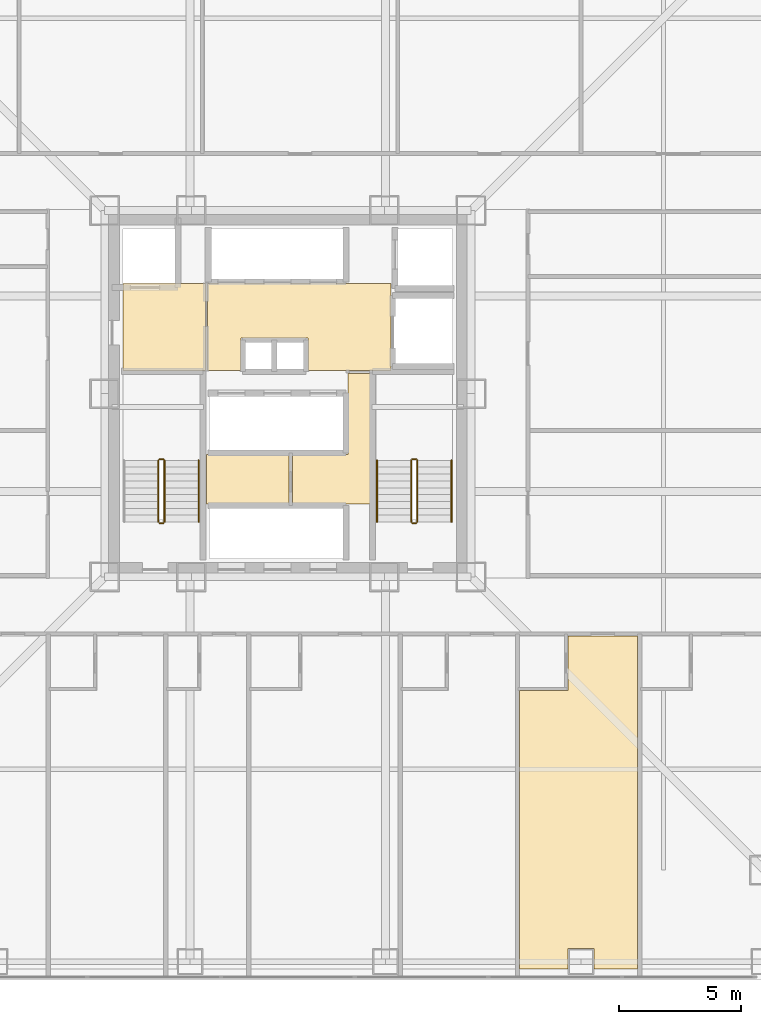
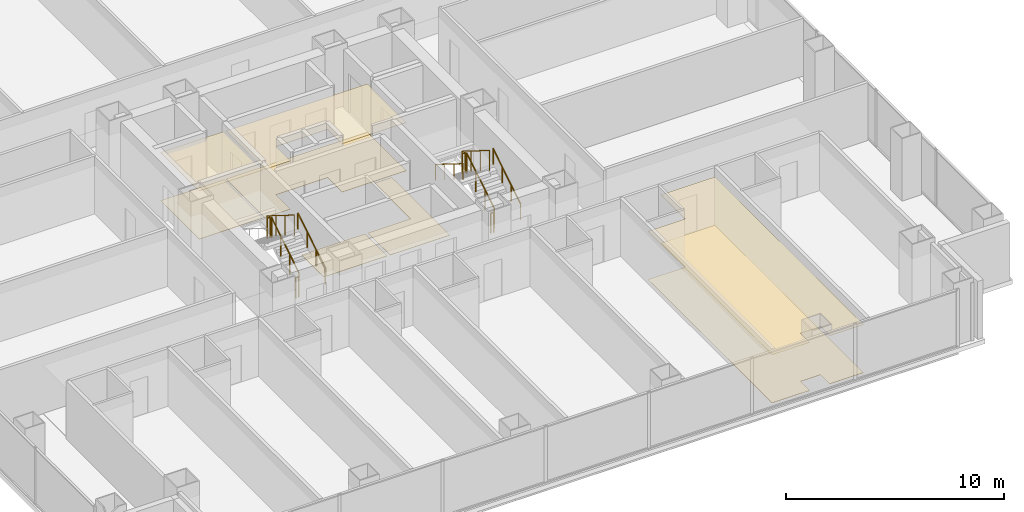
# One storey, part 19 of 20: 11 railings, 8 coverings.
"""IFC4 building model written with IfcOpenShell, lengths in metres."""

from ifc_helpers import new_model, si_unit, direction, frame, origin, origin_2d, place, context, subcontext, project, spatial, polyline, circle, outline, extrude, material, layer, layer_set, type_object, element, save


model = new_model("IFC4")

# Units and contexts
model_context = context("Model", 3, precision=1e-05, world=origin(), true_north=direction((0.0, 1.0)))
body_context = subcontext(model_context, "Body", "Model", "MODEL_VIEW")
ifc_project = project(units=[si_unit("LENGTHUNIT", "METRE"), si_unit("AREAUNIT", "SQUARE_METRE"), si_unit("VOLUMEUNIT", "CUBIC_METRE"), si_unit("PLANEANGLEUNIT", "RADIAN"), si_unit("MASSUNIT", "GRAM", prefix="KILO")], contexts=[model_context])

# Site, building, storey
site_placement = place(None, origin())
site = spatial("IfcSite", under=ifc_project, at=site_placement, CompositionType="ELEMENT")
building_placement = place(site_placement, origin())
building = spatial("IfcBuilding", under=site, at=building_placement, Name="Trevonay Congress Spire", CompositionType="ELEMENT")
storey_placement = place(building_placement, frame((0.0, 0.0, 62.0)))
storey = spatial("IfcBuildingStorey", under=building, at=storey_placement, Name="L15", CompositionType="ELEMENT", Elevation=62.0)

# Coverings
ifc_material_1 = material(Name="Acoustic Mineral Fibre Board", Category="gypsum")
ifc_layer_1 = layer(ifc_material_1, 0.02490234375, Name="Acoustic Mineral Fibre Board")
ifc_layer_set_1 = layer_set([ifc_layer_1], Name="Acoustic Mineral Fibre Board")
covering_type_1 = type_object("IfcCoveringType", Name="COV-CEIL-ACOUSTIC", PredefinedType="CEILING", material=ifc_layer_set_1)
covering_1_placement = place(storey_placement, frame((0.0, 0.0, 2.699951171875)))
element("IfcCovering", 1, at=covering_1_placement, inside=storey, type_object=covering_type_1, Name="L15 Firefighting Lift Lobby West acoustic suspended ceiling", PredefinedType="CEILING", context=body_context, shape_type="SweptSolid", body=[
    extrude(outline(polyline([(-6.75, 0.9599609375), (-3.3798828125, 0.9599609375), (-3.3798828125, 4.52001953125), (-6.75, 4.52001953125), (-6.75, 0.9599609375)])), origin(), (0.0, 0.0, 1.0), 0.025146484375),
])
covering_2_placement = place(storey_placement, frame((0.0, 0.0, 2.699951171875)))
element("IfcCovering", 2, at=covering_2_placement, inside=storey, type_object=covering_type_1, Name="L15 Central and High-Rise Passenger Lift Lobby acoustic suspended ceiling", PredefinedType="CEILING", context=body_context, shape_type="SweptSolid", body=[
    extrude(outline(polyline([(-3.280029296875, 0.949951171875), (-1.919921875, 0.949951171875), (-1.919921875, 2.280029296875), (0.820068359375, 2.280029296875), (0.820068359375, 0.949951171875), (4.219970703125, 0.949951171875), (4.219970703125, 4.52001953125), (-3.280029296875, 4.52001953125), (-3.280029296875, 0.949951171875)])), origin(), (0.0, 0.0, 1.0), 0.025146484375),
])
covering_3_placement = place(storey_placement, frame((0.0, 0.0, 2.699951171875)))
element("IfcCovering", 3, at=covering_3_placement, inside=storey, type_object=covering_type_1, Name="L15 Corner Hotel Suite acoustic suspended ceiling", PredefinedType="CEILING", context=body_context, shape_type="SweptSolid", body=[
    extrude(outline(polyline([(9.47998046875, -23.550048828125), (9.47998046875, -12.139892578125), (11.458984375, -12.139892578125), (11.458984375, -9.909912109375), (14.320068359375, -9.909912109375), (14.320068359375, -23.550048828125), (12.534912109375, -23.550048828125), (12.534912109375, -22.715087890625), (11.465087890625, -22.715087890625), (11.465087890625, -23.550048828125), (9.47998046875, -23.550048828125)])), origin(), (0.0, 0.0, 1.0), 0.025146484375),
])
ifc_material_2 = material(Name="Polished Granite Floor Tile", Category="masonry")
ifc_layer_2 = layer(ifc_material_2, 0.02001953125, Name="Polished Granite Floor Tile")
ifc_layer_set_2 = layer_set([ifc_layer_2], Name="Polished Granite Floor Tile")
covering_type_2 = type_object("IfcCoveringType", Name="COV-FLOOR-STONE", PredefinedType="FLOORING", material=ifc_layer_set_2)
covering_4_placement = place(storey_placement, origin())
element("IfcCovering", 4, at=covering_4_placement, inside=storey, type_object=covering_type_2, Name="L15 Firefighting Lift Lobby West floor finish", PredefinedType="FLOORING", context=body_context, shape_type="SweptSolid", body=[
    extrude(outline(polyline([(-6.75, 0.9599609375), (-3.3798828125, 0.9599609375), (-3.3798828125, 4.52001953125), (-6.75, 4.52001953125), (-6.75, 0.9599609375)])), origin(), (0.0, 0.0, 1.0), 0.02001953125),
])
covering_5_placement = place(storey_placement, origin())
element("IfcCovering", 5, at=covering_5_placement, inside=storey, type_object=covering_type_2, Name="L15 Central and High-Rise Passenger Lift Lobby floor finish", PredefinedType="FLOORING", context=body_context, shape_type="SweptSolid", body=[
    extrude(outline(polyline([(-3.280029296875, 0.949951171875), (-1.919921875, 0.949951171875), (-1.919921875, 2.280029296875), (0.820068359375, 2.280029296875), (0.820068359375, 0.949951171875), (4.219970703125, 0.949951171875), (4.219970703125, 4.52001953125), (-3.280029296875, 4.52001953125), (-3.280029296875, 0.949951171875)])), origin(), (0.0, 0.0, 1.0), 0.02001953125),
])
covering_6_placement = place(storey_placement, origin())
element("IfcCovering", 6, at=covering_6_placement, inside=storey, type_object=covering_type_2, Name="L15 Cleaner and Linen Closet floor finish", PredefinedType="FLOORING", context=body_context, shape_type="SweptSolid", body=[
    extrude(outline(polyline([(-3.320068359375, -4.52001953125), (0.050048828125, -4.52001953125), (0.050048828125, -2.47998046875), (-3.320068359375, -2.47998046875), (-3.320068359375, -4.52001953125)])), origin(), (0.0, 0.0, 1.0), 0.02001953125),
])
covering_7_placement = place(storey_placement, origin())
element("IfcCovering", 7, at=covering_7_placement, inside=storey, type_object=covering_type_2, Name="L15 BMS Control Room floor finish", PredefinedType="FLOORING", context=body_context, shape_type="SweptSolid", body=[
    extrude(outline(polyline([(0.199951171875, -4.52001953125), (3.3798828125, -4.52001953125), (3.3798828125, 0.820068359375), (2.4599609375, 0.820068359375), (2.4599609375, -2.47998046875), (0.199951171875, -2.47998046875), (0.199951171875, -4.52001953125)])), origin(), (0.0, 0.0, 1.0), 0.02001953125),
])
ifc_material_3 = material(Name="Engineered Oak Flooring", Category="wood")
ifc_layer_3 = layer(ifc_material_3, 0.01806640625, Name="Engineered Oak Flooring")
ifc_layer_set_3 = layer_set([ifc_layer_3], Name="Engineered Oak Flooring")
covering_type_3 = type_object("IfcCoveringType", Name="COV-FLOOR-TIMBER", PredefinedType="FLOORING", material=ifc_layer_set_3)
covering_8_placement = place(storey_placement, origin())
element("IfcCovering", 8, at=covering_8_placement, inside=storey, type_object=covering_type_3, Name="L15 Corner Hotel Suite floor finish", PredefinedType="FLOORING", context=body_context, shape_type="SweptSolid", body=[
    extrude(outline(polyline([(9.47998046875, -23.550048828125), (9.47998046875, -12.139892578125), (11.458984375, -12.139892578125), (11.458984375, -9.909912109375), (14.320068359375, -9.909912109375), (14.320068359375, -23.550048828125), (12.534912109375, -23.550048828125), (12.534912109375, -22.715087890625), (11.465087890625, -22.715087890625), (11.465087890625, -23.550048828125), (9.47998046875, -23.550048828125)])), origin(), (0.0, 0.0, 1.0), 0.01806640625),
])

# Railings
ifc_material_4 = material(Name="Pale Anodised Aluminium EN AW-6063-T6", Category="aluminium")
railing_type_1 = type_object("IfcRailingType", Name="RAL-STAIR-GUARD-110", PredefinedType="GUARDRAIL", material=ifc_material_4)
railing_1_placement = place(storey_placement, frame((-5.050048828125, -5.25, 0.175048828125)))
element("IfcRailing", 9, at=railing_1_placement, inside=storey, type_object=railing_type_1, Name="L15 ST-1 stair guard 1", PredefinedType="GUARDRAIL", context=body_context, shape_type="SweptSolid", body=[
    extrude(circle(Radius=0.02392578125, at=origin_2d()), frame((0.0, 0.0, 1.1259765625), z_axis=(0.0, 0.848007534815, 0.529984170421), x_axis=(-1.0, 0.0, 0.0)), (0.0, 0.0, 1.0), 2.9716796875),
    extrude(circle(Radius=0.02099609375, at=origin_2d()), origin(), (0.0, 0.0, 1.0), 1.101806640625),
    extrude(circle(Radius=0.02099609375, at=origin_2d()), frame((0.0, 0.840087890625, 0.52490234375)), (0.0, 0.0, 1.0), 1.101806640625),
    extrude(circle(Radius=0.02099609375, at=origin_2d()), frame((0.0, 1.679931640625, 1.050048828125)), (0.0, 0.0, 1.0), 1.101806640625),
    extrude(circle(Radius=0.02099609375, at=origin_2d()), frame((0.0, 2.52001953125, 1.574951171875)), (0.0, 0.0, 1.0), 1.101806640625),
])
railing_2_placement = place(storey_placement, frame((-5.10009765625, -2.679931640625, 1.75)))
element("IfcRailing", 10, at=railing_2_placement, inside=storey, type_object=railing_type_1, Name="L15 ST-1 stair guard 2", PredefinedType="GUARDRAIL", context=body_context, shape_type="SweptSolid", body=[
    extrude(circle(Radius=0.02392578125, at=origin_2d()), frame((0.0, 0.0, 1.1259765625), z_axis=(-1.0, 0.0, 0.0), x_axis=(0.0, -1.0, 0.0)), (0.0, 0.0, 1.0), 0.14990234375),
    extrude(circle(Radius=0.02099609375, at=origin_2d()), origin(), (0.0, 0.0, 1.0), 1.101806640625),
    extrude(circle(Radius=0.02099609375, at=origin_2d()), frame((-0.14990234375, 0.0, 0.0)), (0.0, 0.0, 1.0), 1.101806640625),
])
railing_3_placement = place(storey_placement, frame((-5.300048828125, -2.72998046875, 1.925048828125)))
element("IfcRailing", 11, at=railing_3_placement, inside=storey, type_object=railing_type_1, Name="L15 ST-1 stair guard 3", PredefinedType="GUARDRAIL", context=body_context, shape_type="SweptSolid", body=[
    extrude(circle(Radius=0.02392578125, at=origin_2d()), frame((0.0, 0.0, 1.1259765625), z_axis=(0.0, -0.848007534815, 0.529984170421), x_axis=(1.0, 0.0, 0.0)), (0.0, 0.0, 1.0), 2.9716796875),
    extrude(circle(Radius=0.02099609375, at=origin_2d()), origin(), (0.0, 0.0, 1.0), 1.101806640625),
    extrude(circle(Radius=0.02099609375, at=origin_2d()), frame((0.0, -0.840087890625, 0.52490234375)), (0.0, 0.0, 1.0), 1.101806640625),
    extrude(circle(Radius=0.02099609375, at=origin_2d()), frame((0.0, -1.679931640625, 1.050048828125)), (0.0, 0.0, 1.0), 1.101806640625),
    extrude(circle(Radius=0.02099609375, at=origin_2d()), frame((0.0, -2.52001953125, 1.574951171875)), (0.0, 0.0, 1.0), 1.101806640625),
])
railing_4_placement = place(storey_placement, frame((-5.10009765625, -5.300048828125, 0.0)))
element("IfcRailing", 12, at=railing_4_placement, inside=storey, type_object=railing_type_1, Name="L15 ST-1 stair guard 4", PredefinedType="GUARDRAIL", context=body_context, shape_type="SweptSolid", body=[
    extrude(circle(Radius=0.02392578125, at=origin_2d()), frame((0.0, 0.0, 1.1259765625), z_axis=(-1.0, 0.0, 0.0), x_axis=(0.0, -1.0, 0.0)), (0.0, 0.0, 1.0), 0.14990234375),
    extrude(circle(Radius=0.02099609375, at=origin_2d()), origin(), (0.0, 0.0, 1.0), 1.101806640625),
    extrude(circle(Radius=0.02099609375, at=origin_2d()), frame((-0.14990234375, 0.0, 0.0)), (0.0, 0.0, 1.0), 1.101806640625),
])
railing_5_placement = place(storey_placement, frame((5.300048828125, -5.25, 0.175048828125)))
element("IfcRailing", 13, at=railing_5_placement, inside=storey, type_object=railing_type_1, Name="L15 ST-2 stair guard 1", PredefinedType="GUARDRAIL", context=body_context, shape_type="SweptSolid", body=[
    extrude(circle(Radius=0.02392578125, at=origin_2d()), frame((0.0, 0.0, 1.1259765625), z_axis=(0.0, 0.848007534815, 0.529984170421), x_axis=(-1.0, 0.0, 0.0)), (0.0, 0.0, 1.0), 2.9716796875),
    extrude(circle(Radius=0.02099609375, at=origin_2d()), origin(), (0.0, 0.0, 1.0), 1.101806640625),
    extrude(circle(Radius=0.02099609375, at=origin_2d()), frame((0.0, 0.840087890625, 0.52490234375)), (0.0, 0.0, 1.0), 1.101806640625),
    extrude(circle(Radius=0.02099609375, at=origin_2d()), frame((0.0, 1.679931640625, 1.050048828125)), (0.0, 0.0, 1.0), 1.101806640625),
    extrude(circle(Radius=0.02099609375, at=origin_2d()), frame((0.0, 2.52001953125, 1.574951171875)), (0.0, 0.0, 1.0), 1.101806640625),
])
railing_6_placement = place(storey_placement, frame((5.25, -2.679931640625, 1.75)))
element("IfcRailing", 14, at=railing_6_placement, inside=storey, type_object=railing_type_1, Name="L15 ST-2 stair guard 2", PredefinedType="GUARDRAIL", context=body_context, shape_type="SweptSolid", body=[
    extrude(circle(Radius=0.02392578125, at=origin_2d()), frame((0.0, 0.0, 1.1259765625), z_axis=(-1.0, 0.0, 0.0), x_axis=(0.0, -1.0, 0.0)), (0.0, 0.0, 1.0), 0.14990234375),
    extrude(circle(Radius=0.02099609375, at=origin_2d()), origin(), (0.0, 0.0, 1.0), 1.101806640625),
    extrude(circle(Radius=0.02099609375, at=origin_2d()), frame((-0.14990234375, 0.0, 0.0)), (0.0, 0.0, 1.0), 1.101806640625),
])
railing_7_placement = place(storey_placement, frame((5.050048828125, -2.72998046875, 1.925048828125)))
element("IfcRailing", 15, at=railing_7_placement, inside=storey, type_object=railing_type_1, Name="L15 ST-2 stair guard 3", PredefinedType="GUARDRAIL", context=body_context, shape_type="SweptSolid", body=[
    extrude(circle(Radius=0.02392578125, at=origin_2d()), frame((0.0, 0.0, 1.1259765625), z_axis=(0.0, -0.848007534815, 0.529984170421), x_axis=(1.0, 0.0, 0.0)), (0.0, 0.0, 1.0), 2.9716796875),
    extrude(circle(Radius=0.02099609375, at=origin_2d()), origin(), (0.0, 0.0, 1.0), 1.101806640625),
    extrude(circle(Radius=0.02099609375, at=origin_2d()), frame((0.0, -0.840087890625, 0.52490234375)), (0.0, 0.0, 1.0), 1.101806640625),
    extrude(circle(Radius=0.02099609375, at=origin_2d()), frame((0.0, -1.679931640625, 1.050048828125)), (0.0, 0.0, 1.0), 1.101806640625),
    extrude(circle(Radius=0.02099609375, at=origin_2d()), frame((0.0, -2.52001953125, 1.574951171875)), (0.0, 0.0, 1.0), 1.101806640625),
])
railing_8_placement = place(storey_placement, frame((5.25, -5.300048828125, 0.0)))
element("IfcRailing", 16, at=railing_8_placement, inside=storey, type_object=railing_type_1, Name="L15 ST-2 stair guard 4", PredefinedType="GUARDRAIL", context=body_context, shape_type="SweptSolid", body=[
    extrude(circle(Radius=0.02392578125, at=origin_2d()), frame((0.0, 0.0, 1.1259765625), z_axis=(-1.0, 0.0, 0.0), x_axis=(0.0, -1.0, 0.0)), (0.0, 0.0, 1.0), 0.14990234375),
    extrude(circle(Radius=0.02099609375, at=origin_2d()), origin(), (0.0, 0.0, 1.0), 1.101806640625),
    extrude(circle(Radius=0.02099609375, at=origin_2d()), frame((-0.14990234375, 0.0, 0.0)), (0.0, 0.0, 1.0), 1.101806640625),
])
railing_type_2 = type_object("IfcRailingType", Name="RAL-STAIR-HANDRAIL", PredefinedType="HANDRAIL", material=ifc_material_4)
for number, where, name in (
    (17, (-3.64990234375, -5.25, 0.175048828125), "L15 ST-1 stair handrail 1"),
    (18, (6.699951171875, -5.25, 0.175048828125), "L15 ST-2 stair handrail 1"),
):
    element("IfcRailing", number, at=place(storey_placement, frame(where)), inside=storey, type_object=railing_type_2, Name=name, PredefinedType="HANDRAIL", context=body_context, shape_type="SweptSolid", body=[
        extrude(circle(Radius=0.02392578125, at=origin_2d()), frame((0.0, 0.0, 0.8759765625), z_axis=(0.0, 0.848007534815, 0.529984170421), x_axis=(-1.0, 0.0, 0.0)), (0.0, 0.0, 1.0), 2.9716796875),
        extrude(circle(Radius=0.02099609375, at=origin_2d()), origin(), (0.0, 0.0, 1.0), 0.851806640625),
        extrude(circle(Radius=0.02099609375, at=origin_2d()), frame((0.0, 0.840087890625, 0.52490234375)), (0.0, 0.0, 1.0), 0.851806640625),
        extrude(circle(Radius=0.02099609375, at=origin_2d()), frame((0.0, 1.679931640625, 1.050048828125)), (0.0, 0.0, 1.0), 0.851806640625),
        extrude(circle(Radius=0.02099609375, at=origin_2d()), frame((0.0, 2.52001953125, 1.574951171875)), (0.0, 0.0, 1.0), 0.851806640625),
    ])
railing_9_placement = place(storey_placement, frame((3.64990234375, -2.72998046875, 1.925048828125)))
element("IfcRailing", 19, at=railing_9_placement, inside=storey, type_object=railing_type_2, Name="L15 ST-2 stair handrail 2", PredefinedType="HANDRAIL", context=body_context, shape_type="SweptSolid", body=[
    extrude(circle(Radius=0.02392578125, at=origin_2d()), frame((0.0, 0.0, 0.8759765625), z_axis=(0.0, -0.848007534815, 0.529984170421), x_axis=(1.0, 0.0, 0.0)), (0.0, 0.0, 1.0), 2.9716796875),
    extrude(circle(Radius=0.02099609375, at=origin_2d()), origin(), (0.0, 0.0, 1.0), 0.851806640625),
    extrude(circle(Radius=0.02099609375, at=origin_2d()), frame((0.0, -0.840087890625, 0.52490234375)), (0.0, 0.0, 1.0), 0.851806640625),
    extrude(circle(Radius=0.02099609375, at=origin_2d()), frame((0.0, -1.679931640625, 1.050048828125)), (0.0, 0.0, 1.0), 0.851806640625),
    extrude(circle(Radius=0.02099609375, at=origin_2d()), frame((0.0, -2.52001953125, 1.574951171875)), (0.0, 0.0, 1.0), 0.851806640625),
])

save(model, "model.ifc")
